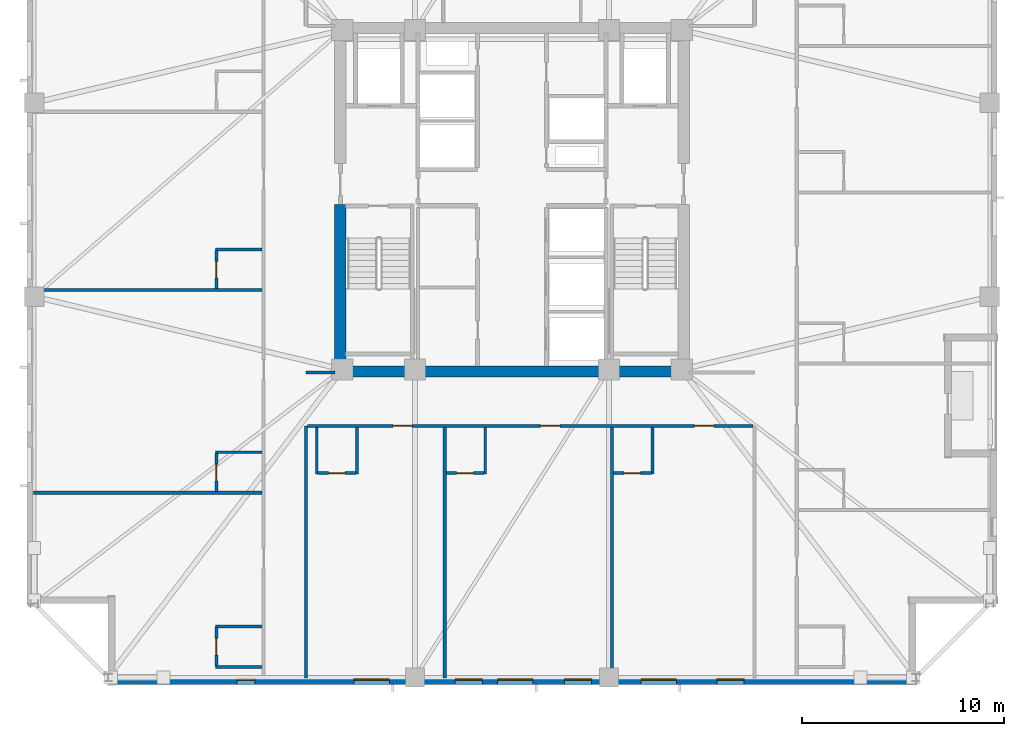
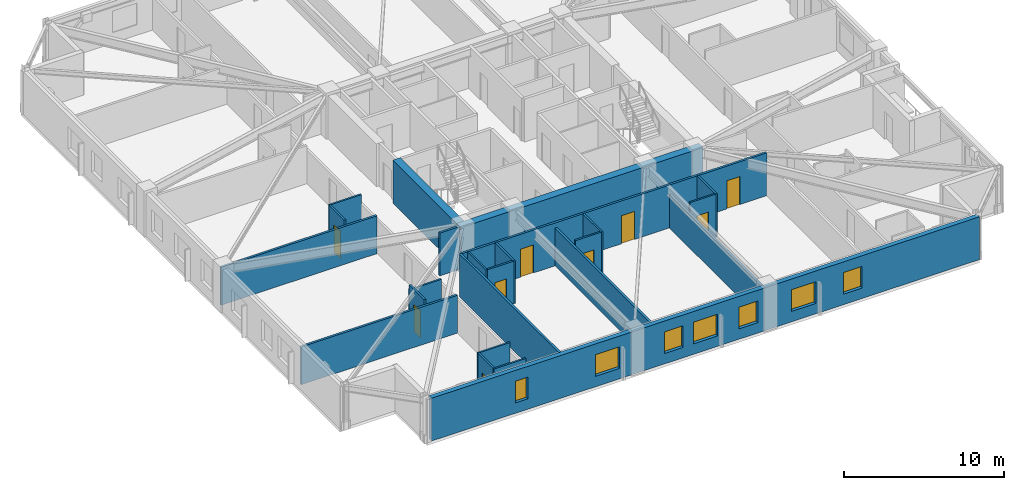
# One storey, part 2 of 11: 24 walls, 9 doors, 7 windows, 16 openings.
"""IFC4 building model written with IfcOpenShell, lengths in metres."""

from ifc_helpers import new_model, si_unit, direction, frame, frame_2d, origin, place, context, subcontext, project, spatial, rectangle, extrude, material, layer, layer_set, type_object, element, fill, save


model = new_model("IFC4")

# Units and contexts
model_context = context("Model", 3, precision=1e-05, world=origin(), true_north=direction((0.0, 1.0)))
body_context = subcontext(model_context, "Body", "Model", "MODEL_VIEW")
ifc_project = project(units=[si_unit("LENGTHUNIT", "METRE"), si_unit("AREAUNIT", "SQUARE_METRE"), si_unit("VOLUMEUNIT", "CUBIC_METRE"), si_unit("PLANEANGLEUNIT", "RADIAN"), si_unit("MASSUNIT", "GRAM", prefix="KILO")], contexts=[model_context])

# Site, building, storey
site_placement = place(None, origin())
site = spatial("IfcSite", under=ifc_project, at=site_placement, CompositionType="ELEMENT")
building_placement = place(site_placement, origin())
building = spatial("IfcBuilding", under=site, at=building_placement, Name="Cairnveth Concourse Tower", CompositionType="ELEMENT")
storey_placement = place(building_placement, frame((0.0, 0.0, 172.5)))
storey = spatial("IfcBuildingStorey", under=building, at=storey_placement, Name="L47", CompositionType="ELEMENT", Elevation=172.5)

# Walls
ifc_material_1 = material(Name="Gypsum Plasterboard Partition", Category="gypsum")
ifc_layer_1 = layer(ifc_material_1, 0.159912109375)
ifc_layer_set_1 = layer_set([ifc_layer_1], Name="Gypsum Plasterboard Partition")
wall_type_1 = type_object("IfcWallType", Name="ACOUSTIC PARTY WALL 180", PredefinedType="PARTITIONING", material=ifc_layer_set_1)
wall_1_placement = place(storey_placement, frame((41.800048828125, 15.324951171875, 0.0), z_axis=(0.0, 0.0, 1.0), x_axis=(0.0, 1.0, 0.0)))
element("IfcWall", 1, at=wall_1_placement, inside=storey, type_object=wall_type_1, Name="Interior Wall IW-L47-037", PredefinedType="PARTITIONING", context=body_context, shape_type="SweptSolid", body=[
    extrude(rectangle(XDim=12.47509765625, YDim=0.159912109375, at=frame_2d((6.237548828125, 0.0))), origin(), (0.0, 0.0, 1.0), 3.280029296875),
])
wall_2_placement = place(storey_placement, frame((41.800048828125, 30.449951171875, 0.0), z_axis=(0.0, 0.0, 1.0), x_axis=(1.0, 0.0, 0.0)))
element("IfcWall", 2, at=wall_2_placement, inside=storey, type_object=wall_type_1, Name="Interior Wall IW-L47-039", PredefinedType="PARTITIONING", context=body_context, shape_type="SweptSolid", body=[
    extrude(rectangle(XDim=1.43505859375, YDim=0.159912109375, at=frame_2d((0.717529296875, 0.0))), origin(), (0.0, 0.0, 1.0), 3.280029296875),
])

# Wall, openings, doors
wall_3_placement = place(storey_placement, frame((41.864990234375, 27.800048828125, 0.0), z_axis=(0.0, 0.0, 1.0), x_axis=(1.0, 0.0, 0.0)))
wall_3 = element("IfcWall", 3, at=wall_3_placement, inside=storey, type_object=wall_type_1, Name="Interior Wall IW-L47-046", PredefinedType="PARTITIONING", context=body_context, shape_type="SweptSolid", body=[
    extrude(rectangle(XDim=22.070068359375, YDim=0.159912109375, at=frame_2d((11.03515625, 0.0))), origin(), (0.0, 0.0, 1.0), 3.280029296875),
])
opening_1_placement = place(wall_3_placement, frame((4.232177734375, 0.0, 0.0)))
opening_1 = element("IfcOpeningElement", 4, at=opening_1_placement, cuts=wall_3, Name="Opening ID09", PredefinedType="OPENING", context=body_context, shape_type="SweptSolid", body=[
    extrude(rectangle(XDim=0.9599609375, YDim=2.14990234375, at=frame_2d((0.47998046875, 1.074951171875))), frame((0.0, 0.08984375, 0.0), z_axis=(0.0, -1.0, 0.0), x_axis=(1.0, 0.0, 0.0)), (0.0, 0.0, 1.0), 0.179931640625),
])
opening_2_placement = place(wall_3_placement, frame((11.544921875, 0.0, 0.0)))
opening_2 = element("IfcOpeningElement", 5, at=opening_2_placement, cuts=wall_3, Name="Opening ID09", PredefinedType="OPENING", context=body_context, shape_type="SweptSolid", body=[
    extrude(rectangle(XDim=0.9599609375, YDim=2.14990234375, at=frame_2d((0.47998046875, 1.074951171875))), frame((0.0, 0.08984375, 0.0), z_axis=(0.0, -1.0, 0.0), x_axis=(1.0, 0.0, 0.0)), (0.0, 0.0, 1.0), 0.179931640625),
])
opening_3_placement = place(wall_3_placement, frame((19.16796875, 0.0, 0.0)))
opening_3 = element("IfcOpeningElement", 6, at=opening_3_placement, cuts=wall_3, Name="Opening ID09", PredefinedType="OPENING", context=body_context, shape_type="SweptSolid", body=[
    extrude(rectangle(XDim=0.9599609375, YDim=2.14990234375, at=frame_2d((0.47998046875, 1.074951171875))), frame((0.0, 0.08984375, 0.0), z_axis=(0.0, -1.0, 0.0), x_axis=(1.0, 0.0, 0.0)), (0.0, 0.0, 1.0), 0.179931640625),
])
ifc_material_2 = material(Name="Solid Core Hardwood Timber Leaf", Category="wood")
door_type_1 = type_object("IfcDoorType", Name="HOTEL ENTRANCE DOOR 960X2150", OperationType="NOTDEFINED", PredefinedType="DOOR", material=ifc_material_2)
door_1_placement = place(opening_1_placement, origin())
door_1 = element("IfcDoor", 7, at=door_1_placement, inside=storey, type_object=door_type_1, Name="Hotel Room Door L47-S1", OperationType="SINGLE_SWING_LEFT", OverallHeight=2.14990234375, OverallWidth=0.9599609375, PredefinedType="DOOR", context=body_context, shape_type="SweptSolid", body=[
    extrude(rectangle(XDim=0.9599609375, YDim=2.14990234375, at=frame_2d((0.47998046875, 1.074951171875))), frame((0.0, 0.02490234375, 0.0), z_axis=(0.0, -1.0, 0.0), x_axis=(1.0, 0.0, 0.0)), (0.0, 0.0, 1.0), 0.050048828125),
])
fill(opening_1, door_1)
door_2_placement = place(opening_2_placement, origin())
door_2 = element("IfcDoor", 8, at=door_2_placement, inside=storey, type_object=door_type_1, Name="Hotel Room Door L47-S2", OperationType="SINGLE_SWING_LEFT", OverallHeight=2.14990234375, OverallWidth=0.9599609375, PredefinedType="DOOR", context=body_context, shape_type="SweptSolid", body=[
    extrude(rectangle(XDim=0.9599609375, YDim=2.14990234375, at=frame_2d((0.47998046875, 1.074951171875))), frame((0.0, 0.02490234375, 0.0), z_axis=(0.0, -1.0, 0.0), x_axis=(1.0, 0.0, 0.0)), (0.0, 0.0, 1.0), 0.050048828125),
])
fill(opening_2, door_2)
door_3_placement = place(opening_3_placement, origin())
door_3 = element("IfcDoor", 9, at=door_3_placement, inside=storey, type_object=door_type_1, Name="Hotel Room Door L47-S3", OperationType="SINGLE_SWING_LEFT", OverallHeight=2.14990234375, OverallWidth=0.9599609375, PredefinedType="DOOR", context=body_context, shape_type="SweptSolid", body=[
    extrude(rectangle(XDim=0.9599609375, YDim=2.14990234375, at=frame_2d((0.47998046875, 1.074951171875))), frame((0.0, 0.02490234375, 0.0), z_axis=(0.0, -1.0, 0.0), x_axis=(1.0, 0.0, 0.0)), (0.0, 0.0, 1.0), 0.050048828125),
])
fill(opening_3, door_3)

# Walls
wall_4_placement = place(storey_placement, frame((48.67431640625, 15.324951171875, 0.0), z_axis=(0.0, 0.0, 1.0), x_axis=(0.0, 1.0, 0.0)))
element("IfcWall", 10, at=wall_4_placement, inside=storey, type_object=wall_type_1, Name="Interior Wall IW-L47-052", PredefinedType="PARTITIONING", context=body_context, shape_type="SweptSolid", body=[
    extrude(rectangle(XDim=12.39501953125, YDim=0.159912109375, at=frame_2d((6.197509765625, 0.0))), origin(), (0.0, 0.0, 1.0), 2.89599609375),
])
wall_5_placement = place(storey_placement, frame((56.955810546875, 15.324951171875, 0.0), z_axis=(0.0, 0.0, 1.0), x_axis=(0.0, 1.0, 0.0)))
element("IfcWall", 11, at=wall_5_placement, inside=storey, type_object=wall_type_1, Name="Interior Wall IW-L47-055", PredefinedType="PARTITIONING", context=body_context, shape_type="SweptSolid", body=[
    extrude(rectangle(XDim=12.39501953125, YDim=0.159912109375, at=frame_2d((6.197509765625, 0.0))), origin(), (0.0, 0.0, 1.0), 2.554931640625),
])
for number, where, z_axis, x_axis, name in (
    (12, (28.324951171875, 24.492919921875, 0.0), (0.0, 0.0, 1.0), (1.0, 0.0, 0.0), "Interior Wall IW-L47-061"),
    (13, (28.324951171875, 34.53271484375, 0.0), (0.0, 0.0, 1.0), (1.0, 0.0, 0.0), "Interior Wall IW-L47-064"),
):
    element("IfcWall", number, at=place(storey_placement, frame(where, z_axis=z_axis, x_axis=x_axis)), inside=storey, type_object=wall_type_1, Name=name, PredefinedType="PARTITIONING", context=body_context, shape_type="SweptSolid", body=[
        extrude(rectangle(XDim=11.295166015625, YDim=0.159912109375, at=frame_2d((5.6474609375, 0.0))), origin(), (0.0, 0.0, 1.0), 2.89599609375),
    ])
ifc_material_3 = material(Name="Concrete N80 (80 MPa)", Category="concrete")
ifc_layer_2 = layer(ifc_material_3, 0.550048828125)
ifc_layer_set_2 = layer_set([ifc_layer_2], Name="Concrete N80 (80 MPa)")
wall_type_2 = type_object("IfcWallType", Name="CORE SHEAR WALL 550", PredefinedType="SHEAR", material=ifc_layer_set_2)
wall_6_placement = place(storey_placement, frame((43.22509765625, 30.5, 0.0), z_axis=(0.0, 0.0, 1.0), x_axis=(1.0, 0.0, 0.0)))
element("IfcWall", 14, at=wall_6_placement, inside=storey, type_object=wall_type_2, Name="Core South Shear Wall L47", PredefinedType="SHEAR", context=body_context, shape_type="SweptSolid", body=[
    extrude(rectangle(XDim=17.5498046875, YDim=0.550048828125, at=frame_2d((8.77490234375, 0.0))), origin(), (0.0, 0.0, 1.0), 3.280029296875),
])
wall_7_placement = place(storey_placement, frame((43.5, 30.764892578125, 0.0), z_axis=(0.0, 0.0, 1.0), x_axis=(0.0, 1.0, 0.0)))
element("IfcWall", 15, at=wall_7_placement, inside=storey, type_object=wall_type_2, Name="Core West Shear Wall S L47", PredefinedType="SHEAR", context=body_context, shape_type="SweptSolid", body=[
    extrude(rectangle(XDim=7.985107421875, YDim=0.550048828125, at=frame_2d((3.99267578125, 0.0))), origin(), (0.0, 0.0, 1.0), 3.280029296875),
])
ifc_layer_3 = layer(ifc_material_1, 0.1298828125)
ifc_layer_set_3 = layer_set([ifc_layer_3], Name="Gypsum Plasterboard Partition")
wall_type_3 = type_object("IfcWallType", Name="WET AREA PARTITION 140", PredefinedType="PLUMBINGWALL", material=ifc_layer_set_3)
for number, where, z_axis, x_axis, name in (
    (16, (42.330078125, 25.419921875, 0.0), (0.0, 0.0, 1.0), (0.0, 1.0, 0.0), "Interior Wall IW-L47-049"),
    (17, (44.330078125, 25.419921875, 0.0), (0.0, 0.0, 1.0), (0.0, 1.0, 0.0), "Interior Wall IW-L47-050"),
):
    element("IfcWall", number, at=place(storey_placement, frame(where, z_axis=z_axis, x_axis=x_axis)), inside=storey, type_object=wall_type_3, Name=name, PredefinedType="PLUMBINGWALL", context=body_context, shape_type="SweptSolid", body=[
        extrude(rectangle(XDim=2.315185546875, YDim=0.1298828125, at=frame_2d((1.15771484375, 0.0))), origin(), (0.0, 0.0, 1.0), 3.280029296875),
    ])

# Wall, opening, door
wall_8_placement = place(storey_placement, frame((42.3798828125, 25.469970703125, 0.0), z_axis=(0.0, 0.0, 1.0), x_axis=(1.0, 0.0, 0.0)))
wall_8 = element("IfcWall", 18, at=wall_8_placement, inside=storey, type_object=wall_type_3, Name="Interior Wall IW-L47-051", PredefinedType="PLUMBINGWALL", context=body_context, shape_type="SweptSolid", body=[
    extrude(rectangle(XDim=1.900146484375, YDim=0.1298828125, at=frame_2d((0.9501953125, 0.0))), origin(), (0.0, 0.0, 1.0), 3.280029296875),
])
opening_4_placement = place(wall_8_placement, frame((0.5400390625, 0.0, 0.0)))
opening_4 = element("IfcOpeningElement", 19, at=opening_4_placement, cuts=wall_8, Name="Opening ID22", PredefinedType="OPENING", context=body_context, shape_type="SweptSolid", body=[
    extrude(rectangle(XDim=0.820068359375, YDim=2.10009765625, at=frame_2d((0.41015625, 1.050048828125))), frame((0.0, 0.074951171875, 0.0), z_axis=(0.0, -1.0, 0.0), x_axis=(1.0, 0.0, 0.0)), (0.0, 0.0, 1.0), 0.14990234375),
])
door_type_2 = type_object("IfcDoorType", Name="INTERIOR WC DOOR 820X2100", OperationType="NOTDEFINED", PredefinedType="DOOR", material=ifc_material_2)
door_4_placement = place(opening_4_placement, origin())
door_4 = element("IfcDoor", 20, at=door_4_placement, inside=storey, type_object=door_type_2, Name="En-Suite Door L47-S1", OperationType="SINGLE_SWING_RIGHT", OverallHeight=2.10009765625, OverallWidth=0.820068359375, PredefinedType="DOOR", context=body_context, shape_type="SweptSolid", body=[
    extrude(rectangle(XDim=0.820068359375, YDim=2.10009765625, at=frame_2d((0.41015625, 1.050048828125))), frame((0.0, 0.02490234375, 0.0), z_axis=(0.0, -1.0, 0.0), x_axis=(1.0, 0.0, 0.0)), (0.0, 0.0, 1.0), 0.050048828125),
])
fill(opening_4, door_4)

# Wall
wall_9_placement = place(storey_placement, frame((50.67431640625, 25.419921875, 0.0), z_axis=(0.0, 0.0, 1.0), x_axis=(0.0, 1.0, 0.0)))
element("IfcWall", 21, at=wall_9_placement, inside=storey, type_object=wall_type_3, Name="Interior Wall IW-L47-053", PredefinedType="PLUMBINGWALL", context=body_context, shape_type="SweptSolid", body=[
    extrude(rectangle(XDim=2.315185546875, YDim=0.1298828125, at=frame_2d((1.15771484375, 0.0))), origin(), (0.0, 0.0, 1.0), 3.280029296875),
])

# Wall, opening, door
wall_10_placement = place(storey_placement, frame((48.7392578125, 25.469970703125, 0.0), z_axis=(0.0, 0.0, 1.0), x_axis=(1.0, 0.0, 0.0)))
wall_10 = element("IfcWall", 22, at=wall_10_placement, inside=storey, type_object=wall_type_3, Name="Interior Wall IW-L47-054", PredefinedType="PLUMBINGWALL", context=body_context, shape_type="SweptSolid", body=[
    extrude(rectangle(XDim=1.885009765625, YDim=0.1298828125, at=frame_2d((0.9423828125, 0.0))), origin(), (0.0, 0.0, 1.0), 3.280029296875),
])
opening_5_placement = place(wall_10_placement, frame((0.52490234375, 0.0, 0.0)))
opening_5 = element("IfcOpeningElement", 23, at=opening_5_placement, cuts=wall_10, Name="Opening ID22", PredefinedType="OPENING", context=body_context, shape_type="SweptSolid", body=[
    extrude(rectangle(XDim=0.820068359375, YDim=2.10009765625, at=frame_2d((0.41015625, 1.050048828125))), frame((0.0, 0.074951171875, 0.0), z_axis=(0.0, -1.0, 0.0), x_axis=(1.0, 0.0, 0.0)), (0.0, 0.0, 1.0), 0.14990234375),
])
door_5_placement = place(opening_5_placement, origin())
door_5 = element("IfcDoor", 24, at=door_5_placement, inside=storey, type_object=door_type_2, Name="En-Suite Door L47-S2", OperationType="SINGLE_SWING_RIGHT", OverallHeight=2.10009765625, OverallWidth=0.820068359375, PredefinedType="DOOR", context=body_context, shape_type="SweptSolid", body=[
    extrude(rectangle(XDim=0.820068359375, YDim=2.10009765625, at=frame_2d((0.41015625, 1.050048828125))), frame((0.0, 0.02490234375, 0.0), z_axis=(0.0, -1.0, 0.0), x_axis=(1.0, 0.0, 0.0)), (0.0, 0.0, 1.0), 0.050048828125),
])
fill(opening_5, door_5)

# Wall
wall_11_placement = place(storey_placement, frame((58.955810546875, 25.419921875, 0.0), z_axis=(0.0, 0.0, 1.0), x_axis=(0.0, 1.0, 0.0)))
element("IfcWall", 25, at=wall_11_placement, inside=storey, type_object=wall_type_3, Name="Interior Wall IW-L47-056", PredefinedType="PLUMBINGWALL", context=body_context, shape_type="SweptSolid", body=[
    extrude(rectangle(XDim=2.315185546875, YDim=0.1298828125, at=frame_2d((1.15771484375, 0.0))), origin(), (0.0, 0.0, 1.0), 3.280029296875),
])

# Wall, opening, door
wall_12_placement = place(storey_placement, frame((57.020751953125, 25.469970703125, 0.0), z_axis=(0.0, 0.0, 1.0), x_axis=(1.0, 0.0, 0.0)))
wall_12 = element("IfcWall", 26, at=wall_12_placement, inside=storey, type_object=wall_type_3, Name="Interior Wall IW-L47-057", PredefinedType="PLUMBINGWALL", context=body_context, shape_type="SweptSolid", body=[
    extrude(rectangle(XDim=1.885009765625, YDim=0.1298828125, at=frame_2d((0.9423828125, 0.0))), origin(), (0.0, 0.0, 1.0), 3.280029296875),
])
opening_6_placement = place(wall_12_placement, frame((0.52490234375, 0.0, 0.0)))
opening_6 = element("IfcOpeningElement", 27, at=opening_6_placement, cuts=wall_12, Name="Opening ID22", PredefinedType="OPENING", context=body_context, shape_type="SweptSolid", body=[
    extrude(rectangle(XDim=0.820068359375, YDim=2.10009765625, at=frame_2d((0.41015625, 1.050048828125))), frame((0.0, 0.074951171875, 0.0), z_axis=(0.0, -1.0, 0.0), x_axis=(1.0, 0.0, 0.0)), (0.0, 0.0, 1.0), 0.14990234375),
])
door_6_placement = place(opening_6_placement, origin())
door_6 = element("IfcDoor", 28, at=door_6_placement, inside=storey, type_object=door_type_2, Name="En-Suite Door L47-S3", OperationType="SINGLE_SWING_RIGHT", OverallHeight=2.10009765625, OverallWidth=0.820068359375, PredefinedType="DOOR", context=body_context, shape_type="SweptSolid", body=[
    extrude(rectangle(XDim=0.820068359375, YDim=2.10009765625, at=frame_2d((0.41015625, 1.050048828125))), frame((0.0, 0.02490234375, 0.0), z_axis=(0.0, -1.0, 0.0), x_axis=(1.0, 0.0, 0.0)), (0.0, 0.0, 1.0), 0.050048828125),
])
fill(opening_6, door_6)

# Walls
for number, where, z_axis, x_axis, name in (
    (29, (37.320068359375, 15.8701171875, 0.0), (0.0, 0.0, 1.0), (1.0, 0.0, 0.0), "Interior Wall IW-L47-058"),
    (30, (37.320068359375, 17.8701171875, 0.0), (0.0, 0.0, 1.0), (1.0, 0.0, 0.0), "Interior Wall IW-L47-059"),
):
    element("IfcWall", number, at=place(storey_placement, frame(where, z_axis=z_axis, x_axis=x_axis)), inside=storey, type_object=wall_type_3, Name=name, PredefinedType="PLUMBINGWALL", context=body_context, shape_type="SweptSolid", body=[
        extrude(rectangle(XDim=2.31494140625, YDim=0.1298828125, at=frame_2d((1.157470703125, 0.0))), origin(), (0.0, 0.0, 1.0), 3.280029296875),
    ])

# Wall, opening, door
wall_13_placement = place(storey_placement, frame((37.3701171875, 15.919921875, 0.0), z_axis=(0.0, 0.0, 1.0), x_axis=(0.0, 1.0, 0.0)))
wall_13 = element("IfcWall", 31, at=wall_13_placement, inside=storey, type_object=wall_type_3, Name="Interior Wall IW-L47-060", PredefinedType="PLUMBINGWALL", context=body_context, shape_type="SweptSolid", body=[
    extrude(rectangle(XDim=1.900146484375, YDim=0.1298828125, at=frame_2d((0.9501953125, 0.0))), origin(), (0.0, 0.0, 1.0), 3.280029296875),
])
opening_7_placement = place(wall_13_placement, frame((0.5400390625, 0.0, 0.0)))
opening_7 = element("IfcOpeningElement", 32, at=opening_7_placement, cuts=wall_13, Name="Opening ID22", PredefinedType="OPENING", context=body_context, shape_type="SweptSolid", body=[
    extrude(rectangle(XDim=0.820068359375, YDim=2.10009765625, at=frame_2d((0.41015625, 1.050048828125))), frame((0.0, 0.074951171875, 0.0), z_axis=(0.0, -1.0, 0.0), x_axis=(1.0, 0.0, 0.0)), (0.0, 0.0, 1.0), 0.14990234375),
])
door_7_placement = place(opening_7_placement, origin())
door_7 = element("IfcDoor", 33, at=door_7_placement, inside=storey, type_object=door_type_2, Name="En-Suite Door L47-W1", OperationType="SINGLE_SWING_RIGHT", OverallHeight=2.10009765625, OverallWidth=0.820068359375, PredefinedType="DOOR", context=body_context, shape_type="SweptSolid", body=[
    extrude(rectangle(XDim=0.820068359375, YDim=2.10009765625, at=frame_2d((0.41015625, 1.050048828125))), frame((0.0, 0.02490234375, 0.0), z_axis=(0.0, -1.0, 0.0), x_axis=(1.0, 0.0, 0.0)), (0.0, 0.0, 1.0), 0.050048828125),
])
fill(opening_7, door_7)

# Wall
wall_14_placement = place(storey_placement, frame((37.320068359375, 26.492919921875, 0.0), z_axis=(0.0, 0.0, 1.0), x_axis=(1.0, 0.0, 0.0)))
element("IfcWall", 34, at=wall_14_placement, inside=storey, type_object=wall_type_3, Name="Interior Wall IW-L47-062", PredefinedType="PLUMBINGWALL", context=body_context, shape_type="SweptSolid", body=[
    extrude(rectangle(XDim=2.31494140625, YDim=0.1298828125, at=frame_2d((1.157470703125, 0.0))), origin(), (0.0, 0.0, 1.0), 2.89599609375),
])

# Wall, opening, door
wall_15_placement = place(storey_placement, frame((37.3701171875, 24.557861328125, 0.0), z_axis=(0.0, 0.0, 1.0), x_axis=(0.0, 1.0, 0.0)))
wall_15 = element("IfcWall", 35, at=wall_15_placement, inside=storey, type_object=wall_type_3, Name="Interior Wall IW-L47-063", PredefinedType="PLUMBINGWALL", context=body_context, shape_type="SweptSolid", body=[
    extrude(rectangle(XDim=1.885009765625, YDim=0.1298828125, at=frame_2d((0.9423828125, 0.0))), origin(), (0.0, 0.0, 1.0), 3.280029296875),
])
opening_8_placement = place(wall_15_placement, frame((0.52490234375, 0.0, 0.0)))
opening_8 = element("IfcOpeningElement", 36, at=opening_8_placement, cuts=wall_15, Name="Opening ID22", PredefinedType="OPENING", context=body_context, shape_type="SweptSolid", body=[
    extrude(rectangle(XDim=0.820068359375, YDim=2.10009765625, at=frame_2d((0.41015625, 1.050048828125))), frame((0.0, 0.074951171875, 0.0), z_axis=(0.0, -1.0, 0.0), x_axis=(1.0, 0.0, 0.0)), (0.0, 0.0, 1.0), 0.14990234375),
])
door_8_placement = place(opening_8_placement, origin())
door_8 = element("IfcDoor", 37, at=door_8_placement, inside=storey, type_object=door_type_2, Name="En-Suite Door L47-W2", OperationType="SINGLE_SWING_RIGHT", OverallHeight=2.10009765625, OverallWidth=0.820068359375, PredefinedType="DOOR", context=body_context, shape_type="SweptSolid", body=[
    extrude(rectangle(XDim=0.820068359375, YDim=2.10009765625, at=frame_2d((0.41015625, 1.050048828125))), frame((0.0, 0.02490234375, 0.0), z_axis=(0.0, -1.0, 0.0), x_axis=(1.0, 0.0, 0.0)), (0.0, 0.0, 1.0), 0.050048828125),
])
fill(opening_8, door_8)

# Wall
wall_16_placement = place(storey_placement, frame((37.320068359375, 36.53271484375, 0.0), z_axis=(0.0, 0.0, 1.0), x_axis=(1.0, 0.0, 0.0)))
element("IfcWall", 38, at=wall_16_placement, inside=storey, type_object=wall_type_3, Name="Interior Wall IW-L47-065", PredefinedType="PLUMBINGWALL", context=body_context, shape_type="SweptSolid", body=[
    extrude(rectangle(XDim=2.31494140625, YDim=0.1298828125, at=frame_2d((1.157470703125, 0.0))), origin(), (0.0, 0.0, 1.0), 3.280029296875),
])

# Wall, opening, door
wall_17_placement = place(storey_placement, frame((37.3701171875, 34.59765625, 0.0), z_axis=(0.0, 0.0, 1.0), x_axis=(0.0, 1.0, 0.0)))
wall_17 = element("IfcWall", 39, at=wall_17_placement, inside=storey, type_object=wall_type_3, Name="Interior Wall IW-L47-066", PredefinedType="PLUMBINGWALL", context=body_context, shape_type="SweptSolid", body=[
    extrude(rectangle(XDim=1.885009765625, YDim=0.1298828125, at=frame_2d((0.9423828125, 0.0))), origin(), (0.0, 0.0, 1.0), 3.280029296875),
])
opening_9_placement = place(wall_17_placement, frame((0.52490234375, 0.0, 0.0)))
opening_9 = element("IfcOpeningElement", 40, at=opening_9_placement, cuts=wall_17, Name="Opening ID22", PredefinedType="OPENING", context=body_context, shape_type="SweptSolid", body=[
    extrude(rectangle(XDim=0.820068359375, YDim=2.10009765625, at=frame_2d((0.41015625, 1.050048828125))), frame((0.0, 0.074951171875, 0.0), z_axis=(0.0, -1.0, 0.0), x_axis=(1.0, 0.0, 0.0)), (0.0, 0.0, 1.0), 0.14990234375),
])
door_9_placement = place(opening_9_placement, origin())
door_9 = element("IfcDoor", 41, at=door_9_placement, inside=storey, type_object=door_type_2, Name="En-Suite Door L47-W3", OperationType="SINGLE_SWING_RIGHT", OverallHeight=2.10009765625, OverallWidth=0.820068359375, PredefinedType="DOOR", context=body_context, shape_type="SweptSolid", body=[
    extrude(rectangle(XDim=0.820068359375, YDim=2.10009765625, at=frame_2d((0.41015625, 1.050048828125))), frame((0.0, 0.02490234375, 0.0), z_axis=(0.0, -1.0, 0.0), x_axis=(1.0, 0.0, 0.0)), (0.0, 0.0, 1.0), 0.050048828125),
])
fill(opening_9, door_9)

# Wall, openings, windows
ifc_material_4 = material(Name="Hawthorn Red-Ochre Fired Clay Brick Masonry", Category="masonry")
ifc_layer_4 = layer(ifc_material_4, 0.340087890625)
ifc_layer_set_4 = layer_set([ifc_layer_4], Name="Hawthorn Red-Ochre Fired Clay Brick Masonry")
wall_type_4 = type_object("IfcWallType", Name="ZONE 2 BRICK PIER SPANDREL WALL 340", PredefinedType="SOLIDWALL", material=ifc_layer_set_4)
wall_18_placement = place(storey_placement, frame((72.0, 15.169921875, 0.0), z_axis=(0.0, 0.0, 1.0), x_axis=(-1.0, 0.0, 0.0)))
wall_18 = element("IfcWall", 42, at=wall_18_placement, inside=storey, type_object=wall_type_4, Name="Exterior Wall EW-L47-S03", PredefinedType="SOLIDWALL", context=body_context, shape_type="SweptSolid", body=[
    extrude(rectangle(XDim=39.681884765625, YDim=0.340087890625, at=frame_2d((19.8408203125, 0.0))), origin(), (0.0, 0.0, 1.0), 3.280029296875),
])
opening_10_placement = place(wall_18_placement, frame((8.50537109375, 0.0, 0.800048828125)))
opening_10 = element("IfcOpeningElement", 43, at=opening_10_placement, cuts=wall_18, Name="Opening W02", PredefinedType="OPENING", context=body_context, shape_type="SweptSolid", body=[
    extrude(rectangle(XDim=1.35009765625, YDim=1.659912109375, at=frame_2d((0.675048828125, 0.830078125))), frame((0.0, 0.179931640625, 0.0), z_axis=(0.0, -1.0, 0.0), x_axis=(1.0, 0.0, 0.0)), (0.0, 0.0, 1.0), 0.360107421875),
])
opening_11_placement = place(wall_18_placement, frame((11.85888671875, 0.0, 0.800048828125)))
opening_11 = element("IfcOpeningElement", 44, at=opening_11_placement, cuts=wall_18, Name="Opening W06", PredefinedType="OPENING", context=body_context, shape_type="SweptSolid", body=[
    extrude(rectangle(XDim=1.75, YDim=1.659912109375, at=frame_2d((0.875, 0.830078125))), frame((0.0, 0.179931640625, 0.0), z_axis=(0.0, -1.0, 0.0), x_axis=(1.0, 0.0, 0.0)), (0.0, 0.0, 1.0), 0.360107421875),
])
opening_12_placement = place(wall_18_placement, frame((16.0625, 0.0, 0.800048828125)))
opening_12 = element("IfcOpeningElement", 45, at=opening_12_placement, cuts=wall_18, Name="Opening W02", PredefinedType="OPENING", context=body_context, shape_type="SweptSolid", body=[
    extrude(rectangle(XDim=1.35009765625, YDim=1.659912109375, at=frame_2d((0.675048828125, 0.830078125))), frame((0.0, 0.179931640625, 0.0), z_axis=(0.0, -1.0, 0.0), x_axis=(1.0, 0.0, 0.0)), (0.0, 0.0, 1.0), 0.360107421875),
])
opening_13_placement = place(wall_18_placement, frame((18.966064453125, 0.0, 0.800048828125)))
opening_13 = element("IfcOpeningElement", 46, at=opening_13_placement, cuts=wall_18, Name="Opening W06", PredefinedType="OPENING", context=body_context, shape_type="SweptSolid", body=[
    extrude(rectangle(XDim=1.75, YDim=1.659912109375, at=frame_2d((0.875, 0.830078125))), frame((0.0, 0.179931640625, 0.0), z_axis=(0.0, -1.0, 0.0), x_axis=(1.0, 0.0, 0.0)), (0.0, 0.0, 1.0), 0.360107421875),
])
opening_14_placement = place(wall_18_placement, frame((21.469482421875, 0.0, 0.800048828125)))
opening_14 = element("IfcOpeningElement", 47, at=opening_14_placement, cuts=wall_18, Name="Opening W02", PredefinedType="OPENING", context=body_context, shape_type="SweptSolid", body=[
    extrude(rectangle(XDim=1.35009765625, YDim=1.659912109375, at=frame_2d((0.675048828125, 0.830078125))), frame((0.0, 0.179931640625, 0.0), z_axis=(0.0, -1.0, 0.0), x_axis=(1.0, 0.0, 0.0)), (0.0, 0.0, 1.0), 0.360107421875),
])
opening_15_placement = place(wall_18_placement, frame((26.072998046875, 0.0, 0.800048828125)))
opening_15 = element("IfcOpeningElement", 48, at=opening_15_placement, cuts=wall_18, Name="Opening W06", PredefinedType="OPENING", context=body_context, shape_type="SweptSolid", body=[
    extrude(rectangle(XDim=1.75, YDim=1.659912109375, at=frame_2d((0.875, 0.830078125))), frame((0.0, 0.179931640625, 0.0), z_axis=(0.0, -1.0, 0.0), x_axis=(1.0, 0.0, 0.0)), (0.0, 0.0, 1.0), 0.360107421875),
])
opening_16_placement = place(wall_18_placement, frame((32.7099609375, 0.0, 0.800048828125)))
opening_16 = element("IfcOpeningElement", 49, at=opening_16_placement, cuts=wall_18, Name="Opening W13", PredefinedType="OPENING", context=body_context, shape_type="SweptSolid", body=[
    extrude(rectangle(XDim=0.89990234375, YDim=1.659912109375, at=frame_2d((0.449951171875, 0.830078125))), frame((0.0, 0.179931640625, 0.0), z_axis=(0.0, -1.0, 0.0), x_axis=(1.0, 0.0, 0.0)), (0.0, 0.0, 1.0), 0.360107421875),
])
ifc_material_5 = material(Name="Double Glazed Low-E Clear Glass", Category="glass")
window_type_1 = type_object("IfcWindowType", Name="DEEP-SET BEDROOM LANCET WINDOW 900X1750", PartitioningType="DOUBLE_PANEL_VERTICAL", PredefinedType="WINDOW", material=ifc_material_5)
window_1_placement = place(opening_16_placement, origin())
window_1 = element("IfcWindow", 50, at=window_1_placement, inside=storey, type_object=window_type_1, Name="Dwelling Lancet Window L47-DW1", OverallHeight=1.659912109375, OverallWidth=0.89990234375, PartitioningType="SINGLE_PANEL", PredefinedType="WINDOW", context=body_context, shape_type="SweptSolid", body=[
    extrude(rectangle(XDim=0.89990234375, YDim=1.659912109375, at=frame_2d((0.449951171875, 0.830078125))), frame((0.0, -0.0400390625, 0.0), z_axis=(0.0, -1.0, 0.0), x_axis=(1.0, 0.0, 0.0)), (0.0, 0.0, 1.0), 0.06005859375),
])
fill(opening_16, window_1)
window_type_2 = type_object("IfcWindowType", Name="DEEP-SET GOTHIC LANCET WINDOW 1350X1800", PartitioningType="DOUBLE_PANEL_VERTICAL", PredefinedType="WINDOW", material=ifc_material_5)
window_2_placement = place(opening_10_placement, origin())
window_2 = element("IfcWindow", 51, at=window_2_placement, inside=storey, type_object=window_type_2, Name="Gothic Lancet Window L47-3-2", OverallHeight=1.659912109375, OverallWidth=1.35009765625, PartitioningType="SINGLE_PANEL", PredefinedType="WINDOW", context=body_context, shape_type="SweptSolid", body=[
    extrude(rectangle(XDim=1.35009765625, YDim=1.659912109375, at=frame_2d((0.675048828125, 0.830078125))), frame((0.0, -0.050048828125, 0.0), z_axis=(0.0, -1.0, 0.0), x_axis=(1.0, 0.0, 0.0)), (0.0, 0.0, 1.0), 0.06005859375),
])
fill(opening_10, window_2)
window_3_placement = place(opening_12_placement, origin())
window_3 = element("IfcWindow", 52, at=window_3_placement, inside=storey, type_object=window_type_2, Name="Gothic Lancet Window L47-3-4", OverallHeight=1.659912109375, OverallWidth=1.35009765625, PartitioningType="SINGLE_PANEL", PredefinedType="WINDOW", context=body_context, shape_type="SweptSolid", body=[
    extrude(rectangle(XDim=1.35009765625, YDim=1.659912109375, at=frame_2d((0.675048828125, 0.830078125))), frame((0.0, -0.050048828125, 0.0), z_axis=(0.0, -1.0, 0.0), x_axis=(1.0, 0.0, 0.0)), (0.0, 0.0, 1.0), 0.06005859375),
])
fill(opening_12, window_3)
window_4_placement = place(opening_14_placement, origin())
window_4 = element("IfcWindow", 53, at=window_4_placement, inside=storey, type_object=window_type_2, Name="Gothic Lancet Window L47-3-6", OverallHeight=1.659912109375, OverallWidth=1.35009765625, PartitioningType="SINGLE_PANEL", PredefinedType="WINDOW", context=body_context, shape_type="SweptSolid", body=[
    extrude(rectangle(XDim=1.35009765625, YDim=1.659912109375, at=frame_2d((0.675048828125, 0.830078125))), frame((0.0, -0.050048828125, 0.0), z_axis=(0.0, -1.0, 0.0), x_axis=(1.0, 0.0, 0.0)), (0.0, 0.0, 1.0), 0.06005859375),
])
fill(opening_14, window_4)
window_type_3 = type_object("IfcWindowType", Name="DEEP-SET HOTEL SUITE WINDOW 1750X1800", PartitioningType="DOUBLE_PANEL_VERTICAL", PredefinedType="WINDOW", material=ifc_material_5)
window_5_placement = place(opening_11_placement, origin())
window_5 = element("IfcWindow", 54, at=window_5_placement, inside=storey, type_object=window_type_3, Name="Gothic Lancet Window L47-3-3", OverallHeight=1.659912109375, OverallWidth=1.75, PartitioningType="SINGLE_PANEL", PredefinedType="WINDOW", context=body_context, shape_type="SweptSolid", body=[
    extrude(rectangle(XDim=1.75, YDim=1.659912109375, at=frame_2d((0.875, 0.830078125))), frame((0.0, -0.050048828125, 0.0), z_axis=(0.0, -1.0, 0.0), x_axis=(1.0, 0.0, 0.0)), (0.0, 0.0, 1.0), 0.06005859375),
])
fill(opening_11, window_5)
window_6_placement = place(opening_13_placement, origin())
window_6 = element("IfcWindow", 55, at=window_6_placement, inside=storey, type_object=window_type_3, Name="Gothic Lancet Window L47-3-5", OverallHeight=1.659912109375, OverallWidth=1.75, PartitioningType="SINGLE_PANEL", PredefinedType="WINDOW", context=body_context, shape_type="SweptSolid", body=[
    extrude(rectangle(XDim=1.75, YDim=1.659912109375, at=frame_2d((0.875, 0.830078125))), frame((0.0, -0.050048828125, 0.0), z_axis=(0.0, -1.0, 0.0), x_axis=(1.0, 0.0, 0.0)), (0.0, 0.0, 1.0), 0.06005859375),
])
fill(opening_13, window_6)
window_7_placement = place(opening_15_placement, origin())
window_7 = element("IfcWindow", 56, at=window_7_placement, inside=storey, type_object=window_type_3, Name="Gothic Lancet Window L47-3-7", OverallHeight=1.659912109375, OverallWidth=1.75, PartitioningType="SINGLE_PANEL", PredefinedType="WINDOW", context=body_context, shape_type="SweptSolid", body=[
    extrude(rectangle(XDim=1.75, YDim=1.659912109375, at=frame_2d((0.875, 0.830078125))), frame((0.0, -0.050048828125, 0.0), z_axis=(0.0, -1.0, 0.0), x_axis=(1.0, 0.0, 0.0)), (0.0, 0.0, 1.0), 0.06005859375),
])
fill(opening_15, window_7)

save(model, "model.ifc")
